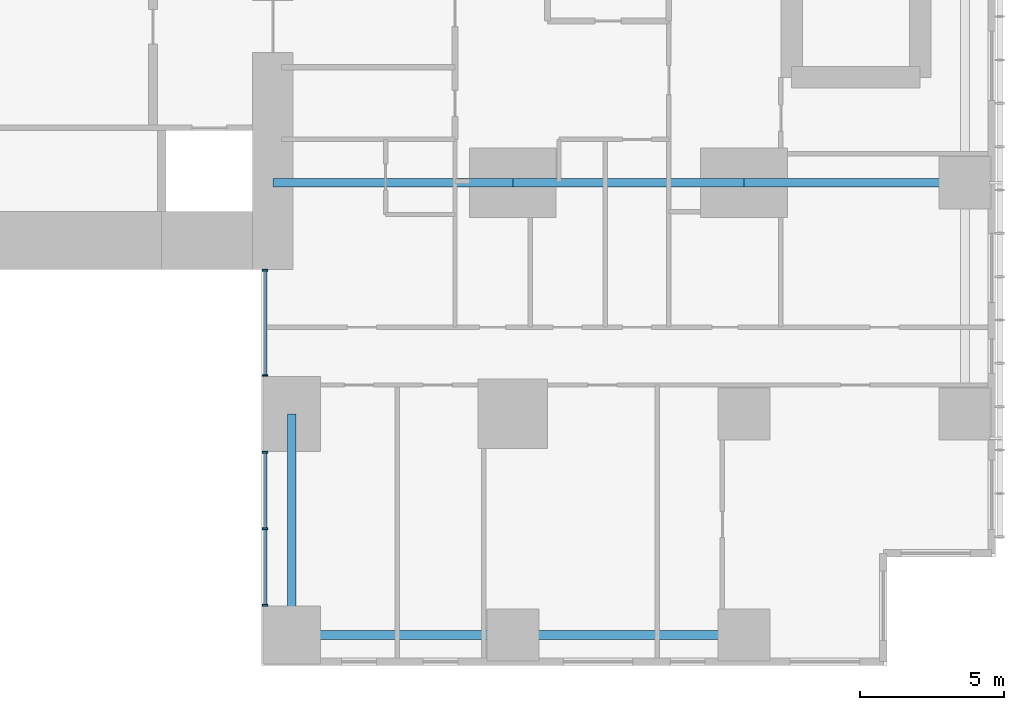
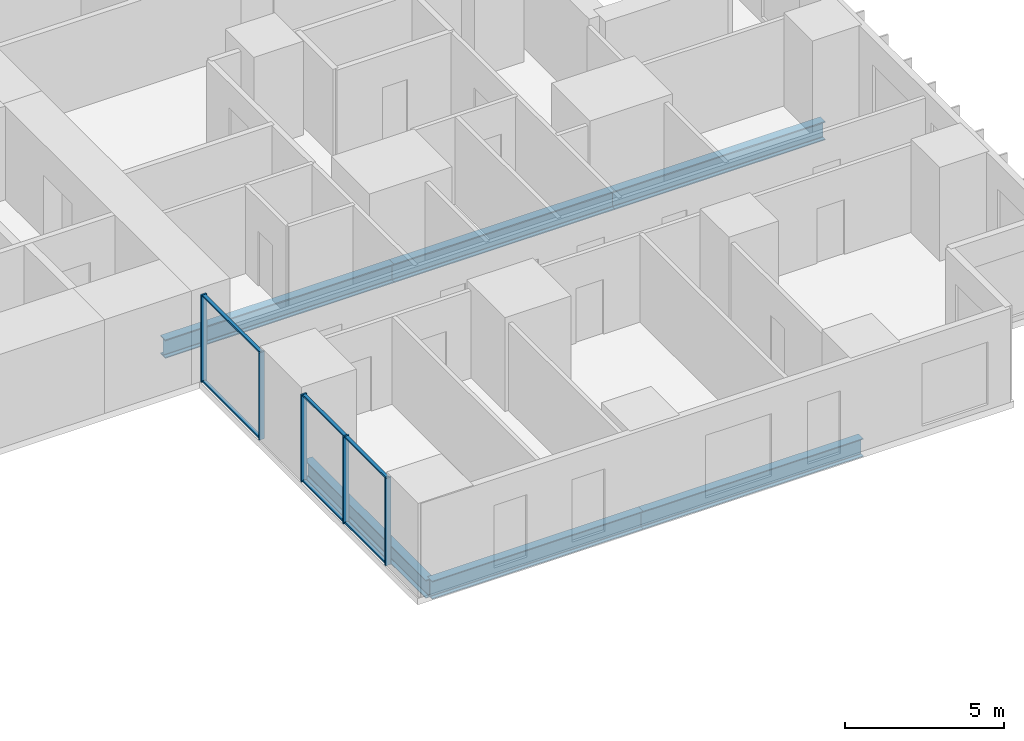
# One storey, part 3 of 20: 11 members, 6 beams, 2 elements without a shape of their own.
"""IFC4 building model written with IfcOpenShell, lengths in metres."""

from ifc_helpers import new_model, si_unit, direction, frame, origin, origin_2d, place, context, subcontext, project, spatial, rectangle, i_section, extrude, material, layer, layer_set, material_profile, profile_set, type_object, element, aggregate, save


model = new_model("IFC4")

# Units and contexts
model_context = context("Model", 3, precision=1e-05, world=origin(), true_north=direction((0.0, 1.0)))
body_context = subcontext(model_context, "Body", "Model", "MODEL_VIEW")
ifc_project = project(units=[si_unit("LENGTHUNIT", "METRE"), si_unit("AREAUNIT", "SQUARE_METRE"), si_unit("VOLUMEUNIT", "CUBIC_METRE"), si_unit("PLANEANGLEUNIT", "RADIAN"), si_unit("MASSUNIT", "GRAM", prefix="KILO")], contexts=[model_context])

# Site, building, storey
site_placement = place(None, origin())
site = spatial("IfcSite", under=ifc_project, at=site_placement, CompositionType="ELEMENT")
building_placement = place(site_placement, origin())
building = spatial("IfcBuilding", under=site, at=building_placement, Name="Cleftline Residences", CompositionType="ELEMENT")
storey_placement = place(building_placement, frame((0.0, 0.0, 211.0)))
storey = spatial("IfcBuildingStorey", under=building, at=storey_placement, Name="L55", CompositionType="ELEMENT", Elevation=211.0)

# Beams
ifc_material_1 = material(Name="Steel S355", Category="steel")
ifc_material_profile_1 = material_profile(ifc_material_1, i_section(OverallWidth=0.300048828125, OverallDepth=0.699951171875, WebThickness=0.01708984375, FlangeThickness=0.031982421875, FilletRadius=0.027099609375, at=origin_2d()))
ifc_profile_set_1 = profile_set([ifc_material_profile_1], Name="Steel S355")
beam_type_1 = type_object("IfcBeamType", Name="BEAM HEB 700", PredefinedType="BEAM", material=ifc_profile_set_1)
beam_1_placement = place(storey_placement, frame((58.0, 0.35009765625, -0.60009765625), z_axis=(-1.0, 0.0, 0.0), x_axis=(0.0, -1.0, 0.0)))
element("IfcBeam", 1, at=beam_1_placement, inside=storey, type_object=beam_type_1, Name="Edge beam", PredefinedType="BEAM", context=body_context, shape_type="SweptSolid", body=[
    extrude(i_section(OverallWidth=0.300048828125, OverallDepth=0.699951171875, WebThickness=0.01708984375, FlangeThickness=0.031982421875, FilletRadius=0.027099609375, at=origin_2d()), origin(), (0.0, 0.0, 1.0), 8.0),
])
for number, where, z_axis, x_axis, name in (
    (2, (50.0, 0.35009765625, -0.60009765625), (-1.0, 0.0, 0.0), (0.0, -1.0, 0.0), "Edge beam"),
    (3, (42.35009765625, 0.35009765625, -0.60009765625), (0.0, 1.0, 0.0), (-1.0, 0.0, 0.0), "Edge beam"),
):
    element("IfcBeam", number, at=place(storey_placement, frame(where, z_axis=z_axis, x_axis=x_axis)), inside=storey, type_object=beam_type_1, Name=name, PredefinedType="BEAM", context=body_context, shape_type="SweptSolid", body=[
        extrude(i_section(OverallWidth=0.300048828125, OverallDepth=0.699951171875, WebThickness=0.01708984375, FlangeThickness=0.031982421875, FilletRadius=0.027099609375, at=origin_2d()), origin(), (0.0, 0.0, 1.0), 7.64990234375),
    ])
ifc_material_2 = material(Name="Steel S355", Category="steel")
ifc_material_profile_2 = material_profile(ifc_material_2, i_section(OverallWidth=0.303955078125, OverallDepth=0.716064453125, WebThickness=0.02099609375, FlangeThickness=0.0400390625, FilletRadius=0.027099609375, at=origin_2d()))
ifc_profile_set_2 = profile_set([ifc_material_profile_2], Name="Steel S355")
beam_type_2 = type_object("IfcBeamType", Name="BEAM HEM 700", PredefinedType="BEAM", material=ifc_profile_set_2)
beam_2_placement = place(storey_placement, frame((65.64990234375, 16.0, -0.60791015625), z_axis=(-1.0, 0.0, 0.0), x_axis=(0.0, -1.0, 0.0)))
element("IfcBeam", 4, at=beam_2_placement, inside=storey, type_object=beam_type_2, Name="Band beam", PredefinedType="BEAM", context=body_context, shape_type="SweptSolid", body=[
    extrude(i_section(OverallWidth=0.303955078125, OverallDepth=0.716064453125, WebThickness=0.02099609375, FlangeThickness=0.0400390625, FilletRadius=0.027099609375, at=origin_2d()), origin(), (0.0, 0.0, 1.0), 7.64990234375),
])
beam_3_placement = place(storey_placement, frame((58.0, 16.0, -0.60791015625), z_axis=(-1.0, 0.0, 0.0), x_axis=(0.0, -1.0, 0.0)))
element("IfcBeam", 5, at=beam_3_placement, inside=storey, type_object=beam_type_2, Name="Band beam", PredefinedType="BEAM", context=body_context, shape_type="SweptSolid", body=[
    extrude(i_section(OverallWidth=0.303955078125, OverallDepth=0.716064453125, WebThickness=0.02099609375, FlangeThickness=0.0400390625, FilletRadius=0.027099609375, at=origin_2d()), origin(), (0.0, 0.0, 1.0), 8.0),
])
beam_4_placement = place(storey_placement, frame((50.0, 16.0, -0.60791015625), z_axis=(-1.0, 0.0, 0.0), x_axis=(0.0, -1.0, 0.0)))
element("IfcBeam", 6, at=beam_4_placement, inside=storey, type_object=beam_type_2, Name="Band beam", PredefinedType="BEAM", context=body_context, shape_type="SweptSolid", body=[
    extrude(i_section(OverallWidth=0.303955078125, OverallDepth=0.716064453125, WebThickness=0.02099609375, FlangeThickness=0.0400390625, FilletRadius=0.027099609375, at=origin_2d()), origin(), (0.0, 0.0, 1.0), 8.300048828125),
])

# Curtain wall, members
ifc_material_3 = material(Name="Aluminium framed curtain wall", Category="aluminium")
ifc_layer = layer(ifc_material_3, 0.199951171875)
ifc_layer_set = layer_set([ifc_layer], Name="CW1 CLEFT GLAZING")
curtain_wall_type = type_object("IfcCurtainWallType", Name="CW1 CLEFT GLAZING", PredefinedType="NOTDEFINED", material=ifc_layer_set)
curtain_wall_1_placement = place(storey_placement, origin())
curtain_wall_1 = element("IfcCurtainWall", 7, at=curtain_wall_1_placement, inside=storey, type_object=curtain_wall_type, Name="Curtain wall CW1", PredefinedType="NOTDEFINED")
ifc_material_4 = material(Name="Aluminium mullion", Category="aluminium")
ifc_material_profile_3 = material_profile(ifc_material_4, rectangle(XDim=0.199951171875, YDim=0.06005859375, at=origin_2d()))
ifc_profile_set_3 = profile_set([ifc_material_profile_3], Name="Aluminium mullion")
member_type_1 = type_object("IfcMemberType", Name="CW1 MULLION", PredefinedType="MULLION", material=ifc_profile_set_3)
member_1_placement = place(storey_placement, frame((41.425048828125, 12.969970703125, 0.0), z_axis=(0.0, 0.0, 1.0), x_axis=(1.0, 0.0, 0.0)))
member_1 = element("IfcMember", 8, at=member_1_placement, type_object=member_type_1, Name="CW1 mullion 1", PredefinedType="MULLION", context=body_context, shape_type="SweptSolid", body=[
    extrude(rectangle(XDim=0.199951171875, YDim=0.06005859375, at=origin_2d()), origin(), (0.0, 0.0, 1.0), 3.35009765625),
])
member_2_placement = place(storey_placement, frame((41.425048828125, 9.330078125, 0.0), z_axis=(0.0, 0.0, 1.0), x_axis=(1.0, 0.0, 0.0)))
member_2 = element("IfcMember", 9, at=member_2_placement, type_object=member_type_1, Name="CW1 mullion 2", PredefinedType="MULLION", context=body_context, shape_type="SweptSolid", body=[
    extrude(rectangle(XDim=0.199951171875, YDim=0.06005859375, at=origin_2d()), origin(), (0.0, 0.0, 1.0), 3.35009765625),
])

curtain_wall_2_placement = place(storey_placement, origin())
curtain_wall_2 = element("IfcCurtainWall", 10, at=curtain_wall_2_placement, inside=storey, type_object=curtain_wall_type, Name="Curtain wall CW1", PredefinedType="NOTDEFINED")
member_3_placement = place(storey_placement, frame((41.425048828125, 6.669921875, 0.0), z_axis=(0.0, 0.0, 1.0), x_axis=(1.0, 0.0, 0.0)))
member_3 = element("IfcMember", 11, at=member_3_placement, type_object=member_type_1, Name="CW1 mullion 1", PredefinedType="MULLION", context=body_context, shape_type="SweptSolid", body=[
    extrude(rectangle(XDim=0.199951171875, YDim=0.06005859375, at=origin_2d()), origin(), (0.0, 0.0, 1.0), 3.35009765625),
])
member_4_placement = place(storey_placement, frame((41.425048828125, 4.02490234375, 0.0), z_axis=(0.0, 0.0, 1.0), x_axis=(1.0, 0.0, 0.0)))
member_4 = element("IfcMember", 12, at=member_4_placement, type_object=member_type_1, Name="CW1 mullion 2", PredefinedType="MULLION", context=body_context, shape_type="SweptSolid", body=[
    extrude(rectangle(XDim=0.199951171875, YDim=0.06005859375, at=origin_2d()), origin(), (0.0, 0.0, 1.0), 3.35009765625),
])
member_5_placement = place(storey_placement, frame((41.425048828125, 1.3798828125, 0.0), z_axis=(0.0, 0.0, 1.0), x_axis=(1.0, 0.0, 0.0)))
member_5 = element("IfcMember", 13, at=member_5_placement, type_object=member_type_1, Name="CW1 mullion 3", PredefinedType="MULLION", context=body_context, shape_type="SweptSolid", body=[
    extrude(rectangle(XDim=0.199951171875, YDim=0.06005859375, at=origin_2d()), origin(), (0.0, 0.0, 1.0), 3.35009765625),
])

# Member
ifc_material_5 = material(Name="Aluminium transom", Category="aluminium")
ifc_material_profile_4 = material_profile(ifc_material_5, rectangle(XDim=0.1201171875, YDim=0.06005859375, at=origin_2d()))
ifc_profile_set_4 = profile_set([ifc_material_profile_4], Name="Aluminium transom")
member_type_2 = type_object("IfcMemberType", Name="CW1 TRANSOM", PredefinedType="USERDEFINED", material=ifc_profile_set_4)
member_6_placement = place(storey_placement, frame((41.425048828125, 12.93994140625, 0.030029296875), z_axis=(0.0, -1.0, 0.0), x_axis=(1.0, 0.0, 0.0)))
member_6 = element("IfcMember", 14, at=member_6_placement, type_object=member_type_2, Name="CW1 transom 1.1", ObjectType="TRANSOM", PredefinedType="USERDEFINED", context=body_context, shape_type="SweptSolid", body=[
    extrude(rectangle(XDim=0.1201171875, YDim=0.06005859375, at=origin_2d()), origin(), (0.0, 0.0, 1.0), 3.579833984375),
])

member_7_placement = place(storey_placement, frame((41.425048828125, 12.93994140625, 3.320068359375), z_axis=(0.0, -1.0, 0.0), x_axis=(1.0, 0.0, 0.0)))
member_7 = element("IfcMember", 15, at=member_7_placement, type_object=member_type_2, Name="CW1 transom 1.2", ObjectType="TRANSOM", PredefinedType="USERDEFINED", context=body_context, shape_type="SweptSolid", body=[
    extrude(rectangle(XDim=0.1201171875, YDim=0.06005859375, at=origin_2d()), origin(), (0.0, 0.0, 1.0), 3.579833984375),
])

aggregate(curtain_wall_1, [member_1, member_2, member_6, member_7])

member_8_placement = place(storey_placement, frame((41.425048828125, 6.639892578125, 0.030029296875), z_axis=(0.0, -1.0, 0.0), x_axis=(1.0, 0.0, 0.0)))
member_8 = element("IfcMember", 16, at=member_8_placement, type_object=member_type_2, Name="CW1 transom 1.1", ObjectType="TRANSOM", PredefinedType="USERDEFINED", context=body_context, shape_type="SweptSolid", body=[
    extrude(rectangle(XDim=0.1201171875, YDim=0.06005859375, at=origin_2d()), origin(), (0.0, 0.0, 1.0), 2.5849609375),
])

member_9_placement = place(storey_placement, frame((41.425048828125, 6.639892578125, 3.320068359375), z_axis=(0.0, -1.0, 0.0), x_axis=(1.0, 0.0, 0.0)))
member_9 = element("IfcMember", 17, at=member_9_placement, type_object=member_type_2, Name="CW1 transom 1.2", ObjectType="TRANSOM", PredefinedType="USERDEFINED", context=body_context, shape_type="SweptSolid", body=[
    extrude(rectangle(XDim=0.1201171875, YDim=0.06005859375, at=origin_2d()), origin(), (0.0, 0.0, 1.0), 2.5849609375),
])

member_10_placement = place(storey_placement, frame((41.425048828125, 3.9951171875, 0.030029296875), z_axis=(0.0, -1.0, 0.0), x_axis=(1.0, 0.0, 0.0)))
member_10 = element("IfcMember", 18, at=member_10_placement, type_object=member_type_2, Name="CW1 transom 2.1", ObjectType="TRANSOM", PredefinedType="USERDEFINED", context=body_context, shape_type="SweptSolid", body=[
    extrude(rectangle(XDim=0.1201171875, YDim=0.06005859375, at=origin_2d()), origin(), (0.0, 0.0, 1.0), 2.585205078125),
])

member_11_placement = place(storey_placement, frame((41.425048828125, 3.9951171875, 3.320068359375), z_axis=(0.0, -1.0, 0.0), x_axis=(1.0, 0.0, 0.0)))
member_11 = element("IfcMember", 19, at=member_11_placement, type_object=member_type_2, Name="CW1 transom 2.2", ObjectType="TRANSOM", PredefinedType="USERDEFINED", context=body_context, shape_type="SweptSolid", body=[
    extrude(rectangle(XDim=0.1201171875, YDim=0.06005859375, at=origin_2d()), origin(), (0.0, 0.0, 1.0), 2.585205078125),
])

aggregate(curtain_wall_2, [member_3, member_4, member_5, member_8, member_9, member_10, member_11])

save(model, "model.ifc")
